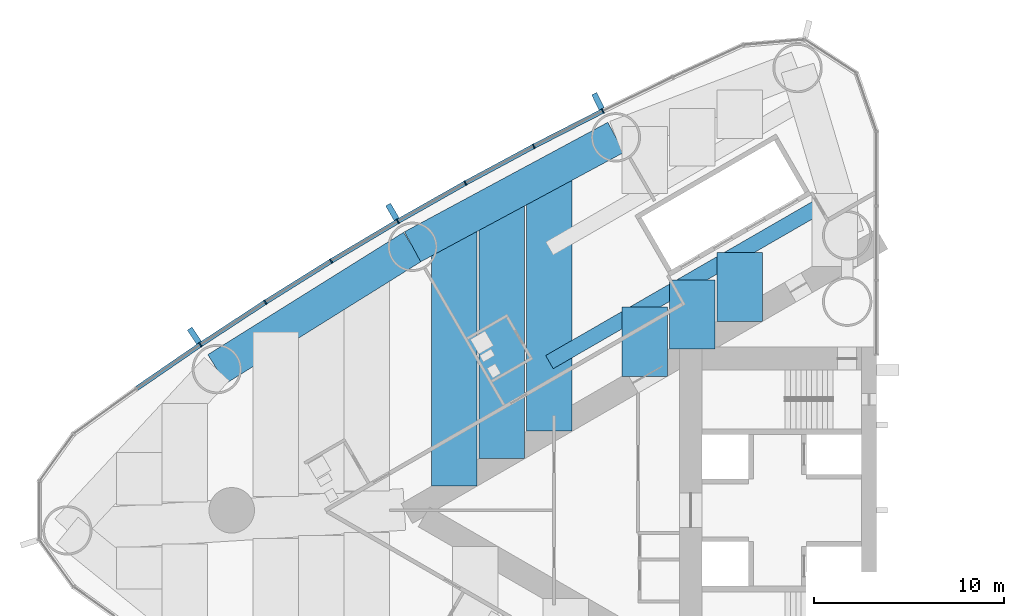
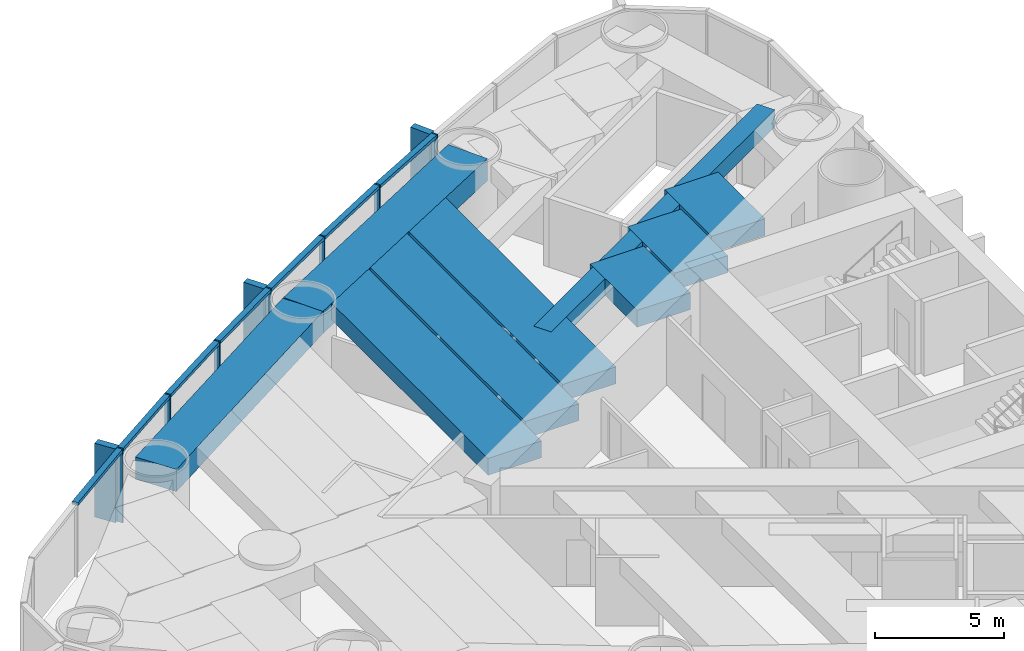
# One storey, part 4 of 18: 17 members, 9 beams, 1 element without a shape of its own.
"""IFC4 building model written with IfcOpenShell, lengths in metres."""

from ifc_helpers import new_model, si_unit, direction, frame, origin, origin_2d, place, context, subcontext, project, spatial, rectangle, hollow_rectangle, extrude, material, material_profile, profile_set, type_object, element, aggregate, save


model = new_model("IFC4")

# Units and contexts
model_context = context("Model", 3, precision=1e-05, world=origin(), true_north=direction((0.0, 1.0)))
body_context = subcontext(model_context, "Body", "Model", "MODEL_VIEW")
ifc_project = project(units=[si_unit("LENGTHUNIT", "METRE"), si_unit("AREAUNIT", "SQUARE_METRE"), si_unit("VOLUMEUNIT", "CUBIC_METRE"), si_unit("PLANEANGLEUNIT", "RADIAN"), si_unit("MASSUNIT", "GRAM", prefix="KILO")], contexts=[model_context])

# Site, building, storey
site_placement = place(None, origin())
site = spatial("IfcSite", under=ifc_project, at=site_placement, CompositionType="ELEMENT")
building_placement = place(site_placement, origin())
building = spatial("IfcBuilding", under=site, at=building_placement, Name="Lancet Gate Hotel", CompositionType="ELEMENT")
storey_placement = place(building_placement, frame((0.0, 0.0, 94.10009765625)))
storey = spatial("IfcBuildingStorey", under=building, at=storey_placement, Name="L24", CompositionType="ELEMENT", Elevation=94.10009765625)

# Curtain wall, members
ifc_material_1 = material(Name="Aluminium curtain wall", Category="aluminium")
curtain_wall_type = type_object("IfcCurtainWallType", Name="Tower unitised curtain wall", PredefinedType="USERDEFINED", material=ifc_material_1)
curtain_wall_placement = place(storey_placement, origin())
curtain_wall = element("IfcCurtainWall", 1, at=curtain_wall_placement, inside=storey, type_object=curtain_wall_type, Name="T1 L24 curtain wall 1", ObjectType="UNITISED CURTAIN WALL", PredefinedType="USERDEFINED")
ifc_material_2 = material(Name="Aluminium mullion", Category="aluminium")
ifc_material_profile_1 = material_profile(ifc_material_2, rectangle(XDim=0.06494140625, YDim=0.25, at=origin_2d()), Name="MULLION 65x250")
ifc_profile_set_1 = profile_set([ifc_material_profile_1], Name="Aluminium mullion")
member_type_1 = type_object("IfcMemberType", Name="Aluminium mullion 65x250", PredefinedType="MULLION", material=ifc_profile_set_1)
member_1_placement = place(storey_placement, frame((-41.935302734375, 21.053466796875, 0.0), z_axis=(0.0, 0.0, 1.0), x_axis=(-0.895339445458, -0.445384415317, 0.0)))
member_1 = element("IfcMember", 2, at=member_1_placement, type_object=member_type_1, Name="T1 L24 curtain wall 1 mullion 9", PredefinedType="MULLION", context=body_context, shape_type="SweptSolid", body=[
    extrude(rectangle(XDim=0.06494140625, YDim=0.25, at=origin_2d()), origin(), (0.0, 0.0, 1.0), 3.5),
])
member_2_placement = place(storey_placement, frame((-45.578857421875, 19.19189453125, 0.0), z_axis=(0.0, 0.0, 1.0), x_axis=(-0.885544335517, -0.46455487279, 0.0)))
member_2 = element("IfcMember", 3, at=member_2_placement, type_object=member_type_1, Name="T1 L24 curtain wall 1 mullion 10", PredefinedType="MULLION", context=body_context, shape_type="SweptSolid", body=[
    extrude(rectangle(XDim=0.06494140625, YDim=0.25, at=origin_2d()), origin(), (0.0, 0.0, 1.0), 3.5),
])
member_3_placement = place(storey_placement, frame((-49.181640625, 17.252197265625, 0.0), z_axis=(0.0, 0.0, 1.0), x_axis=(-0.875338819507, -0.48351003202, 0.0)))
member_3 = element("IfcMember", 4, at=member_3_placement, type_object=member_type_1, Name="T1 L24 curtain wall 1 mullion 11", PredefinedType="MULLION", context=body_context, shape_type="SweptSolid", body=[
    extrude(rectangle(XDim=0.06494140625, YDim=0.25, at=origin_2d()), origin(), (0.0, 0.0, 1.0), 3.5),
])
member_4_placement = place(storey_placement, frame((-52.74169921875, 15.2353515625, 0.0), z_axis=(0.0, 0.0, 1.0), x_axis=(-0.86472762718, -0.502241108226, 0.0)))
member_4 = element("IfcMember", 5, at=member_4_placement, type_object=member_type_1, Name="T1 L24 curtain wall 1 mullion 12", PredefinedType="MULLION", context=body_context, shape_type="SweptSolid", body=[
    extrude(rectangle(XDim=0.06494140625, YDim=0.25, at=origin_2d()), origin(), (0.0, 0.0, 1.0), 3.5),
])
member_5_placement = place(storey_placement, frame((-56.257568359375, 13.142333984375, 0.0), z_axis=(0.0, 0.0, 1.0), x_axis=(-0.853715676299, -0.52073942048, 0.0)))
member_5 = element("IfcMember", 6, at=member_5_placement, type_object=member_type_1, Name="T1 L24 curtain wall 1 mullion 13", PredefinedType="MULLION", context=body_context, shape_type="SweptSolid", body=[
    extrude(rectangle(XDim=0.06494140625, YDim=0.25, at=origin_2d()), origin(), (0.0, 0.0, 1.0), 3.5),
])
member_6_placement = place(storey_placement, frame((-59.7275390625, 10.974365234375, 0.0), z_axis=(0.0, 0.0, 1.0), x_axis=(-0.84230807036, -0.538996395727, 0.0)))
member_6 = element("IfcMember", 7, at=member_6_placement, type_object=member_type_1, Name="T1 L24 curtain wall 1 mullion 14", PredefinedType="MULLION", context=body_context, shape_type="SweptSolid", body=[
    extrude(rectangle(XDim=0.06494140625, YDim=0.25, at=origin_2d()), origin(), (0.0, 0.0, 1.0), 3.5),
])
member_7_placement = place(storey_placement, frame((-63.14990234375, 8.73193359375, 0.0), z_axis=(0.0, 0.0, 1.0), x_axis=(-0.830510096234, -0.557003572747, 0.0)))
member_7 = element("IfcMember", 8, at=member_7_placement, type_object=member_type_1, Name="T1 L24 curtain wall 1 mullion 15", PredefinedType="MULLION", context=body_context, shape_type="SweptSolid", body=[
    extrude(rectangle(XDim=0.06494140625, YDim=0.25, at=origin_2d()), origin(), (0.0, 0.0, 1.0), 3.5),
])
ifc_material_3 = material(Name="Aluminium transom", Category="aluminium")
ifc_material_profile_2 = material_profile(ifc_material_3, rectangle(XDim=0.25, YDim=0.14990234375, at=origin_2d()), Name="TRANSOM 250x150")
ifc_profile_set_2 = profile_set([ifc_material_profile_2], Name="Aluminium transom")
member_type_2 = type_object("IfcMemberType", Name="Aluminium transom 250x150", PredefinedType="USERDEFINED", material=ifc_profile_set_2)
member_8_placement = place(storey_placement, frame((-41.96435546875, 21.038818359375, 3.4248046875), z_axis=(-0.89047617483, -0.455029869415, 0.0), x_axis=(0.455029869415, -0.89047617483, 0.0)))
member_8 = element("IfcMember", 9, at=member_8_placement, type_object=member_type_2, Name="T1 L24 curtain wall 1 transom 9", ObjectType="TRANSOM", PredefinedType="USERDEFINED", context=body_context, shape_type="SweptSolid", body=[
    extrude(rectangle(XDim=0.25, YDim=0.14990234375, at=origin_2d()), origin(), (0.0, 0.0, 1.0), 4.026611328125),
])
member_9_placement = place(storey_placement, frame((-45.607421875, 19.176513671875, 3.4248046875), z_axis=(-0.880498353192, -0.474049206335, 0.0), x_axis=(0.474049206335, -0.880498353192, 0.0)))
member_9 = element("IfcMember", 10, at=member_9_placement, type_object=member_type_2, Name="T1 L24 curtain wall 1 transom 10", ObjectType="TRANSOM", PredefinedType="USERDEFINED", context=body_context, shape_type="SweptSolid", body=[
    extrude(rectangle(XDim=0.25, YDim=0.14990234375, at=origin_2d()), origin(), (0.0, 0.0, 1.0), 4.02685546875),
])
member_10_placement = place(storey_placement, frame((-49.2099609375, 17.236083984375, 3.4248046875), z_axis=(-0.870091531013, -0.492890178091, 0.0), x_axis=(0.492890178091, -0.870091531013, 0.0)))
member_10 = element("IfcMember", 11, at=member_10_placement, type_object=member_type_2, Name="T1 L24 curtain wall 1 transom 11", ObjectType="TRANSOM", PredefinedType="USERDEFINED", context=body_context, shape_type="SweptSolid", body=[
    extrude(rectangle(XDim=0.25, YDim=0.14990234375, at=origin_2d()), origin(), (0.0, 0.0, 1.0), 4.026611328125),
])
member_11_placement = place(storey_placement, frame((-52.76953125, 15.21875, 3.4248046875), z_axis=(-0.859285270342, -0.511496651186, 0.0), x_axis=(0.511496651186, -0.859285270342, 0.0)))
member_11 = element("IfcMember", 12, at=member_11_placement, type_object=member_type_2, Name="T1 L24 curtain wall 1 transom 12", ObjectType="TRANSOM", PredefinedType="USERDEFINED", context=body_context, shape_type="SweptSolid", body=[
    extrude(rectangle(XDim=0.25, YDim=0.14990234375, at=origin_2d()), origin(), (0.0, 0.0, 1.0), 4.026611328125),
])
member_12_placement = place(storey_placement, frame((-56.28515625, 13.125244140625, 3.4248046875), z_axis=(-0.848049393821, -0.529917187531, 0.0), x_axis=(0.529917187531, -0.848049393821, 0.0)))
member_12 = element("IfcMember", 13, at=member_12_placement, type_object=member_type_2, Name="T1 L24 curtain wall 1 transom 13", ObjectType="TRANSOM", PredefinedType="USERDEFINED", context=body_context, shape_type="SweptSolid", body=[
    extrude(rectangle(XDim=0.25, YDim=0.14990234375, at=origin_2d()), origin(), (0.0, 0.0, 1.0), 4.026611328125),
])
member_13_placement = place(storey_placement, frame((-59.754638671875, 10.95654296875, 3.4248046875), z_axis=(-0.83645442085, -0.548036496815, 0.0), x_axis=(0.548036496815, -0.83645442085, 0.0)))
member_13 = element("IfcMember", 14, at=member_13_placement, type_object=member_type_2, Name="T1 L24 curtain wall 1 transom 14", ObjectType="TRANSOM", PredefinedType="USERDEFINED", context=body_context, shape_type="SweptSolid", body=[
    extrude(rectangle(XDim=0.25, YDim=0.14990234375, at=origin_2d()), origin(), (0.0, 0.0, 1.0), 4.026611328125),
])
member_14_placement = place(storey_placement, frame((-63.1767578125, 8.713623046875, 3.4248046875), z_axis=(-0.824455665247, -0.565926546508, 0.0), x_axis=(0.565926546508, -0.824455665247, 0.0)))
member_14 = element("IfcMember", 15, at=member_14_placement, type_object=member_type_2, Name="T1 L24 curtain wall 1 transom 15", ObjectType="TRANSOM", PredefinedType="USERDEFINED", context=body_context, shape_type="SweptSolid", body=[
    extrude(rectangle(XDim=0.25, YDim=0.14990234375, at=origin_2d()), origin(), (0.0, 0.0, 1.0), 4.026611328125),
])

# Beams
ifc_material_4 = material(Name="Concrete C50/60", Category="concrete")
ifc_material_profile_3 = material_profile(ifc_material_4, rectangle(XDim=1.800048828125, YDim=1.050048828125, at=origin_2d()), Name="RC 1800x1050")
ifc_profile_set_3 = profile_set([ifc_material_profile_3], Name="Concrete C50/60")
beam_type_1 = type_object("IfcBeamType", Name="Edge beam RC 1800x1050", PredefinedType="SPANDREL", material=ifc_profile_set_3)
for number, where, z_axis, x_axis, name in (
    (16, (-41.244873046875, 19.665771484375, 2.724853515625), (-0.880492350889, -0.474060354835, 0.0), (0.474060354835, -0.880492350889, 0.0), "T1 edge beam EB1 L24"),
    (17, (-51.963134765625, 13.89501953125, 2.724853515625), (-0.848062521637, -0.529896177939, 0.0), (0.529896177939, -0.848062521637, 0.0), "T1 edge beam EB1 L24"),
):
    element("IfcBeam", number, at=place(storey_placement, frame(where, z_axis=z_axis, x_axis=x_axis)), inside=storey, type_object=beam_type_1, Name=name, PredefinedType="SPANDREL", context=body_context, shape_type="SweptSolid", body=[
        extrude(rectangle(XDim=1.800048828125, YDim=1.050048828125, at=origin_2d()), origin(), (0.0, 0.0, 1.0), 12.173095703125),
    ])

# Member
ifc_material_5 = material(Name="Precast concrete C50/60", Category="concrete")
ifc_material_profile_4 = material_profile(ifc_material_5, rectangle(XDim=0.300048828125, YDim=0.89990234375, at=origin_2d()), Name="FIN 300x900")
ifc_profile_set_4 = profile_set([ifc_material_profile_4], Name="Precast concrete C50/60")
member_type_3 = type_object("IfcMemberType", Name="Exposed concrete fin 300x900", PredefinedType="USERDEFINED", material=ifc_profile_set_4)
member_15_placement = place(storey_placement, frame((-42.19140625, 21.568359375, 0.0), z_axis=(0.0, 0.0, 1.0), x_axis=(-0.895339445458, -0.445384415317, 0.0)))
member_15 = element("IfcMember", 18, at=member_15_placement, type_object=member_type_3, Name="T1 L24 curtain wall 1 fin 9", ObjectType="FIN", PredefinedType="USERDEFINED", context=body_context, shape_type="SweptSolid", body=[
    extrude(rectangle(XDim=0.300048828125, YDim=0.89990234375, at=origin_2d()), origin(), (0.0, 0.0, 1.0), 3.5),
])

member_16_placement = place(storey_placement, frame((-53.030517578125, 15.732666015625, 0.0), z_axis=(0.0, 0.0, 1.0), x_axis=(-0.86472762718, -0.502241108226, 0.0)))
member_16 = element("IfcMember", 19, at=member_16_placement, type_object=member_type_3, Name="T1 L24 curtain wall 1 fin 12", ObjectType="FIN", PredefinedType="USERDEFINED", context=body_context, shape_type="SweptSolid", body=[
    extrude(rectangle(XDim=0.300048828125, YDim=0.89990234375, at=origin_2d()), origin(), (0.0, 0.0, 1.0), 3.5),
])

member_17_placement = place(storey_placement, frame((-63.47021484375, 9.20947265625, 0.0), z_axis=(0.0, 0.0, 1.0), x_axis=(-0.830510096234, -0.557003572747, 0.0)))
member_17 = element("IfcMember", 20, at=member_17_placement, type_object=member_type_3, Name="T1 L24 curtain wall 1 fin 15", ObjectType="FIN", PredefinedType="USERDEFINED", context=body_context, shape_type="SweptSolid", body=[
    extrude(rectangle(XDim=0.300048828125, YDim=0.89990234375, at=origin_2d()), origin(), (0.0, 0.0, 1.0), 3.5),
])

aggregate(curtain_wall, [member_1, member_15, member_2, member_3, member_4, member_16, member_5, member_6, member_7, member_17, member_8, member_9, member_10, member_11, member_12, member_13, member_14])

# Beams
ifc_material_6 = material(Name="Concrete C50/60", Category="concrete")
ifc_material_profile_5 = material_profile(ifc_material_6, rectangle(XDim=2.39990234375, YDim=0.800048828125, at=origin_2d()), Name="RC 2400x800")
ifc_profile_set_5 = profile_set([ifc_material_profile_5], Name="Concrete C50/60")
beam_type_2 = type_object("IfcBeamType", Name="Floor beam RC 2400x800", PredefinedType="BEAM", material=ifc_profile_set_5)
beam_1_placement = place(storey_placement, frame((-44.747802734375, 17.77978515625, 2.849853515625), z_axis=(0.0, -1.0, 0.0), x_axis=(1.0, 0.0, 0.0)))
element("IfcBeam", 21, at=beam_1_placement, inside=storey, type_object=beam_type_2, Name="T1 floor beam F09S L24", PredefinedType="BEAM", context=body_context, shape_type="SweptSolid", body=[
    extrude(rectangle(XDim=2.39990234375, YDim=0.800048828125, at=origin_2d()), origin(), (0.0, 0.0, 1.0), 13.611083984375),
])
beam_2_placement = place(storey_placement, frame((-47.254638671875, 16.43017578125, 2.849853515625), z_axis=(0.0, -1.0, 0.0), x_axis=(1.0, 0.0, 0.0)))
element("IfcBeam", 22, at=beam_2_placement, inside=storey, type_object=beam_type_2, Name="T1 floor beam F10S L24", PredefinedType="BEAM", context=body_context, shape_type="SweptSolid", body=[
    extrude(rectangle(XDim=2.39990234375, YDim=0.800048828125, at=origin_2d()), origin(), (0.0, 0.0, 1.0), 13.708740234375),
])
beam_3_placement = place(storey_placement, frame((-49.761474609375, 15.08056640625, 2.849853515625), z_axis=(0.0, -1.0, 0.0), x_axis=(1.0, 0.0, 0.0)))
element("IfcBeam", 23, at=beam_3_placement, inside=storey, type_object=beam_type_2, Name="T1 floor beam F12S L24", PredefinedType="BEAM", context=body_context, shape_type="SweptSolid", body=[
    extrude(rectangle(XDim=2.39990234375, YDim=0.800048828125, at=origin_2d()), origin(), (0.0, 0.0, 1.0), 13.806396484375),
])
beam_4_placement = place(storey_placement, frame((-34.720458984375, 13.603759765625, 2.849853515625), z_axis=(0.0, -1.0, 0.0), x_axis=(1.0, 0.0, 0.0)))
element("IfcBeam", 24, at=beam_4_placement, inside=storey, type_object=beam_type_2, Name="T1 floor beam F04SB L24", PredefinedType="BEAM", context=body_context, shape_type="SweptSolid", body=[
    extrude(rectangle(XDim=2.39990234375, YDim=0.800048828125, at=origin_2d()), origin(), (0.0, 0.0, 1.0), 3.645751953125),
])
beam_5_placement = place(storey_placement, frame((-37.227294921875, 12.15625, 2.849853515625), z_axis=(0.0, -1.0, 0.0), x_axis=(1.0, 0.0, 0.0)))
element("IfcBeam", 25, at=beam_5_placement, inside=storey, type_object=beam_type_2, Name="T1 floor beam F05SB L24", PredefinedType="BEAM", context=body_context, shape_type="SweptSolid", body=[
    extrude(rectangle(XDim=2.39990234375, YDim=0.800048828125, at=origin_2d()), origin(), (0.0, 0.0, 1.0), 3.6455078125),
])
beam_6_placement = place(storey_placement, frame((-39.734130859375, 10.708740234375, 2.849853515625), z_axis=(0.0, -1.0, 0.0), x_axis=(1.0, 0.0, 0.0)))
element("IfcBeam", 26, at=beam_6_placement, inside=storey, type_object=beam_type_2, Name="T1 floor beam F07SB L24", PredefinedType="BEAM", context=body_context, shape_type="SweptSolid", body=[
    extrude(rectangle(XDim=2.39990234375, YDim=0.800048828125, at=origin_2d()), origin(), (0.0, 0.0, 1.0), 3.645263671875),
])
ifc_material_7 = material(Name="Steel S460QL", Category="steel")
ifc_material_profile_6 = material_profile(ifc_material_7, hollow_rectangle(XDim=0.800048828125, YDim=0.800048828125, WallThickness=0.080078125, at=origin_2d()), Name="BOX 800x800x80")
ifc_profile_set_6 = profile_set([ifc_material_profile_6], Name="Steel S460QL")
beam_type_3 = type_object("IfcBeamType", Name="Trimmer beam BOX 800x800x80", PredefinedType="BEAM", material=ifc_profile_set_6)
beam_7_placement = place(storey_placement, frame((-29.706787109375, 16.49853515625, 2.849853515625), z_axis=(-0.866003462672, -0.500038001195, 0.0), x_axis=(0.500038001195, -0.866003462672, 0.0)))
element("IfcBeam", 27, at=beam_7_placement, inside=storey, type_object=beam_type_3, Name="T1 trimmer beam TR02S L24", PredefinedType="BEAM", context=body_context, shape_type="SweptSolid", body=[
    extrude(hollow_rectangle(XDim=0.800048828125, YDim=0.800048828125, WallThickness=0.080078125, at=origin_2d()), origin(), (0.0, 0.0, 1.0), 17.368408203125),
])

save(model, "model.ifc")
